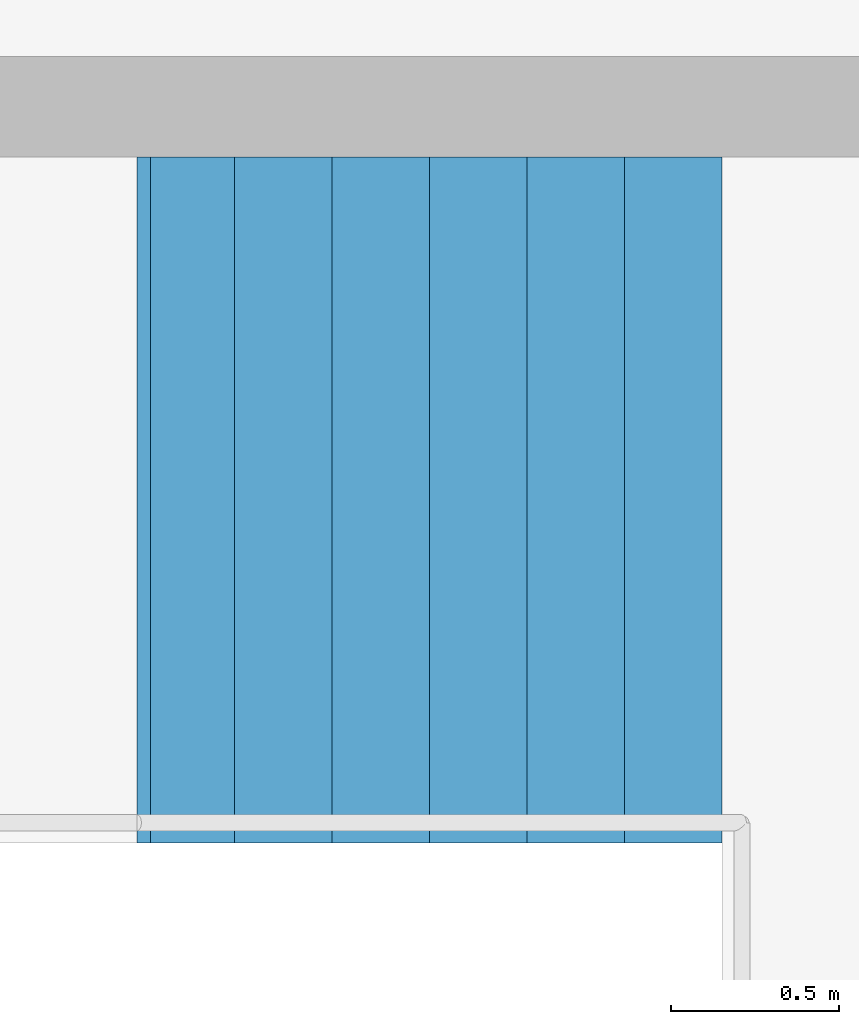
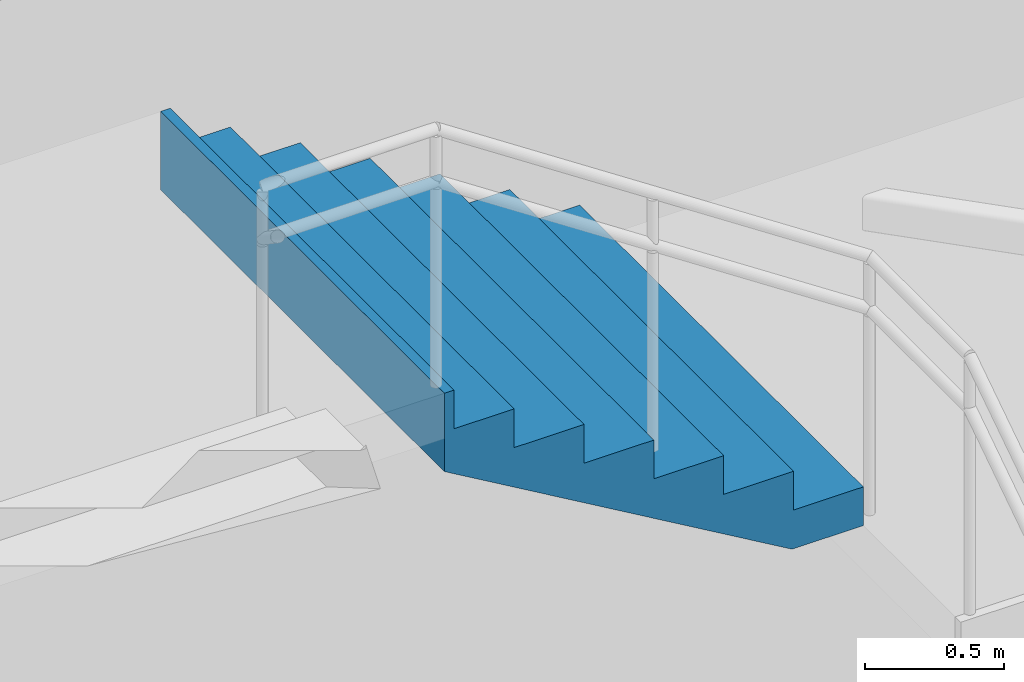
# One storey, part 29 of 32: 1 stair flight, 1 element without a shape of its own.
"""IFC4 building model written with IfcOpenShell, lengths in metres."""

from ifc_helpers import new_model, si_unit, direction, frame, origin, place, context, subcontext, project, spatial, triangles, material, type_object, element, aggregate, save


model = new_model("IFC4")

# Units and contexts
model_context = context("Model", 3, precision=1e-05, world=origin(), true_north=direction((0.0, 1.0)))
body_context = subcontext(model_context, "Body", "Model", "MODEL_VIEW")
ifc_project = project(units=[si_unit("LENGTHUNIT", "METRE"), si_unit("AREAUNIT", "SQUARE_METRE"), si_unit("VOLUMEUNIT", "CUBIC_METRE"), si_unit("PLANEANGLEUNIT", "RADIAN"), si_unit("MASSUNIT", "GRAM", prefix="KILO")], contexts=[model_context])

# Site, building, storey
site_placement = place(None, origin())
site = spatial("IfcSite", under=ifc_project, at=site_placement, CompositionType="ELEMENT")
building_placement = place(site_placement, origin())
building = spatial("IfcBuilding", under=site, at=building_placement, Name="Sillaruma Civic Art Gallery", CompositionType="ELEMENT")
storey_placement = place(building_placement, frame((0.0, 0.0, -4.590087890625)))
storey = spatial("IfcBuildingStorey", under=building, at=storey_placement, Name="B01", CompositionType="ELEMENT", Elevation=-4.590087890625)

# Stair, stair flight
ifc_material = material(Name="Concrete H35 (35 MPa)", Category="concrete")
stair_type = type_object("IfcStairType", Name="STR-4F-27", PredefinedType="USERDEFINED", material=ifc_material)
stair_placement = place(storey_placement, origin())
stair = element("IfcStair", 1, at=stair_placement, inside=storey, type_object=stair_type, Name="Protected Exit Stair ST-05 (East Wing) (B01)", ObjectType="THREE_RETURN_STAIR", PredefinedType="USERDEFINED")
stair_flight_type = type_object("IfcStairFlightType", Name="SFL-STR-7", PredefinedType="STRAIGHT", material=ifc_material)
stair_flight_placement = place(storey_placement, frame((146.60009765625, 16.860107421875, 2.380126953125), z_axis=(0.0, 0.0, 1.0), x_axis=(-1.0, 0.0, 0.0)))
stair_flight = element("IfcStairFlight", 2, at=stair_flight_placement, type_object=stair_flight_type, Name="ST-05 flight 3", NumberOfRisers=7, NumberOfTreads=6, PredefinedType="STRAIGHT", RiserHeight=0.17, TreadLength=0.29, context=body_context, shape_type="Tessellation", body=[
    triangles([(0.0, -1.02001953125, 0.0), (0.29, -1.02001953125, 0.0), (0.296404, -1.02001953125, 0.0), (0.58, -1.02001953125, 0.166246), (0.87, -1.02001953125, 0.336246), (1.16, -1.02001953125, 0.506246), (1.45, -1.02001953125, 0.676246), (1.69999, -1.02001953125, 0.822792), (1.73999, -1.02001953125, 0.84624), (1.73999, -1.02001953125, 1.19), (1.69999, -1.02001953125, 1.19), (1.69999, -1.02001953125, 1.02), (1.45, -1.02001953125, 1.02), (1.45, -1.02001953125, 0.85), (1.16, -1.02001953125, 0.85), (1.16, -1.02001953125, 0.68), (0.87, -1.02001953125, 0.68), (0.87, -1.02001953125, 0.51), (0.58, -1.02001953125, 0.51), (0.58, -1.02001953125, 0.34), (0.296404, -1.02001953125, 0.34), (0.29, -1.02001953125, 0.34), (0.29, -1.02001953125, 0.17), (0.0, -1.02001953125, 0.17), (0.0, -0.05, 0.0), (0.29, -0.05, 0.0), (0.296404, -0.05, 0.0), (0.58, -0.05, 0.166246), (0.87, -0.05, 0.336246), (1.16, -0.05, 0.506246), (1.45, -0.05, 0.676246), (1.69999, -0.05, 0.822792), (1.73999, -0.05, 0.84624), (1.73999, -0.05, 1.19), (1.69999, -0.05, 1.19), (1.69999, -0.05, 1.02), (1.45, -0.05, 1.02), (1.45, -0.05, 0.85), (1.16, -0.05, 0.85), (1.16, -0.05, 0.68), (0.87, -0.05, 0.68), (0.87, -0.05, 0.51), (0.58, -0.05, 0.51), (0.58, -0.05, 0.34), (0.296404, -0.05, 0.34), (0.29, -0.05, 0.34), (0.29, -0.05, 0.17), (0.0, -0.05, 0.17), (0.0, -0.0375, 0.0), (0.29, -0.0375, 0.0), (0.296404, -0.0375, 0.0), (0.58, -0.0375, 0.166246), (0.87, -0.0375, 0.336246), (1.16, -0.0375, 0.506246), (1.45, -0.0375, 0.676246), (1.69999, -0.0375, 0.822792), (1.73999, -0.0375, 0.84624), (1.73999, -0.0375, 1.19), (1.69999, -0.0375, 1.19), (1.69999, -0.0375, 1.02), (1.45, -0.0375, 1.02), (1.45, -0.0375, 0.85), (1.16, -0.0375, 0.85), (1.16, -0.0375, 0.68), (0.87, -0.0375, 0.68), (0.87, -0.0375, 0.51), (0.58, -0.0375, 0.51), (0.58, -0.0375, 0.34), (0.296404, -0.0375, 0.34), (0.29, -0.0375, 0.34), (0.29, -0.0375, 0.17), (0.0, -0.0375, 0.17), (0.0, -0.025, 0.0), (0.29, -0.025, 0.0), (0.296404, -0.025, 0.0), (0.58, -0.025, 0.166246), (0.87, -0.025, 0.336246), (1.16, -0.025, 0.506246), (1.45, -0.025, 0.676246), (1.69999, -0.025, 0.822792), (1.73999, -0.025, 0.84624), (1.73999, -0.025, 1.19), (1.69999, -0.025, 1.19), (1.69999, -0.025, 1.02), (1.45, -0.025, 1.02), (1.45, -0.025, 0.85), (1.16, -0.025, 0.85), (1.16, -0.025, 0.68), (0.87, -0.025, 0.68), (0.87, -0.025, 0.51), (0.58, -0.025, 0.51), (0.58, -0.025, 0.34), (0.296404, -0.025, 0.34), (0.29, -0.025, 0.34), (0.29, -0.025, 0.17), (0.0, -0.025, 0.17), (0.0, -0.0125, 0.0), (0.29, -0.0125, 0.0), (0.296404, -0.0125, 0.0), (0.58, -0.0125, 0.166246), (0.87, -0.0125, 0.336246), (1.16, -0.0125, 0.506246), (1.45, -0.0125, 0.676246), (1.69999, -0.0125, 0.822792), (1.73999, -0.0125, 0.84624), (1.73999, -0.0125, 1.19), (1.69999, -0.0125, 1.19), (1.69999, -0.0125, 1.02), (1.45, -0.0125, 1.02), (1.45, -0.0125, 0.85), (1.16, -0.0125, 0.85), (1.16, -0.0125, 0.68), (0.87, -0.0125, 0.68), (0.87, -0.0125, 0.51), (0.58, -0.0125, 0.51), (0.58, -0.0125, 0.34), (0.296404, -0.0125, 0.34), (0.29, -0.0125, 0.34), (0.29, -0.0125, 0.17), (0.0, -0.0125, 0.17), (0.0, 0.0, 0.0), (0.29, 0.0, 0.0), (0.296404, 0.0, 0.0), (0.58, 0.0, 0.166246), (0.87, 0.0, 0.336246), (1.16, 0.0, 0.506246), (1.45, 0.0, 0.676246), (1.69999, 0.0, 0.822792), (1.73999, 0.0, 0.84624), (1.73999, 0.0, 1.19), (1.69999, 0.0, 1.19), (1.69999, 0.0, 1.02), (1.45, 0.0, 1.02), (1.45, 0.0, 0.85), (1.16, 0.0, 0.85), (1.16, 0.0, 0.68), (0.87, 0.0, 0.68), (0.87, 0.0, 0.51), (0.58, 0.0, 0.51), (0.58, 0.0, 0.34), (0.296404, 0.0, 0.34), (0.29, 0.0, 0.34), (0.29, 0.0, 0.17), (0.0, 0.0, 0.17), (0.0, 0.0125, 0.0), (0.29, 0.0125, 0.0), (0.296404, 0.0125, 0.0), (0.58, 0.0125, 0.166246), (0.87, 0.0125, 0.336246), (1.16, 0.0125, 0.506246), (1.45, 0.0125, 0.676246), (1.69999, 0.0125, 0.822792), (1.73999, 0.0125, 0.84624), (1.73999, 0.0125, 1.19), (1.69999, 0.0125, 1.19), (1.69999, 0.0125, 1.02), (1.45, 0.0125, 1.02), (1.45, 0.0125, 0.85), (1.16, 0.0125, 0.85), (1.16, 0.0125, 0.68), (0.87, 0.0125, 0.68), (0.87, 0.0125, 0.51), (0.58, 0.0125, 0.51), (0.58, 0.0125, 0.34), (0.296404, 0.0125, 0.34), (0.29, 0.0125, 0.34), (0.29, 0.0125, 0.17), (0.0, 0.0125, 0.17), (0.0, 0.025, 0.0), (0.29, 0.025, 0.0), (0.296404, 0.025, 0.0), (0.58, 0.025, 0.166246), (0.87, 0.025, 0.336246), (1.16, 0.025, 0.506246), (1.45, 0.025, 0.676246), (1.69999, 0.025, 0.822792), (1.73999, 0.025, 0.84624), (1.73999, 0.025, 1.19), (1.69999, 0.025, 1.19), (1.69999, 0.025, 1.02), (1.45, 0.025, 1.02), (1.45, 0.025, 0.85), (1.16, 0.025, 0.85), (1.16, 0.025, 0.68), (0.87, 0.025, 0.68), (0.87, 0.025, 0.51), (0.58, 0.025, 0.51), (0.58, 0.025, 0.34), (0.296404, 0.025, 0.34), (0.29, 0.025, 0.34), (0.29, 0.025, 0.17), (0.0, 0.025, 0.17), (0.0, 0.0375, 0.0), (0.29, 0.0375, 0.0), (0.296404, 0.0375, 0.0), (0.58, 0.0375, 0.166246), (0.87, 0.0375, 0.336246), (1.16, 0.0375, 0.506246), (1.45, 0.0375, 0.676246), (1.69999, 0.0375, 0.822792), (1.73999, 0.0375, 0.84624), (1.73999, 0.0375, 1.19), (1.69999, 0.0375, 1.19), (1.69999, 0.0375, 1.02), (1.45, 0.0375, 1.02), (1.45, 0.0375, 0.85), (1.16, 0.0375, 0.85), (1.16, 0.0375, 0.68), (0.87, 0.0375, 0.68), (0.87, 0.0375, 0.51), (0.58, 0.0375, 0.51), (0.58, 0.0375, 0.34), (0.296404, 0.0375, 0.34), (0.29, 0.0375, 0.34), (0.29, 0.0375, 0.17), (0.0, 0.0375, 0.17), (0.0, 0.05, 0.0), (0.29, 0.05, 0.0), (0.296404, 0.05, 0.0), (0.58, 0.05, 0.166246), (0.87, 0.05, 0.336246), (1.16, 0.05, 0.506246), (1.45, 0.05, 0.676246), (1.69999, 0.05, 0.822792), (1.73999, 0.05, 0.84624), (1.73999, 0.05, 1.19), (1.69999, 0.05, 1.19), (1.69999, 0.05, 1.02), (1.45, 0.05, 1.02), (1.45, 0.05, 0.85), (1.16, 0.05, 0.85), (1.16, 0.05, 0.68), (0.87, 0.05, 0.68), (0.87, 0.05, 0.51), (0.58, 0.05, 0.51), (0.58, 0.05, 0.34), (0.296404, 0.05, 0.34), (0.29, 0.05, 0.34), (0.29, 0.05, 0.17), (0.0, 0.05, 0.17), (0.0, 1.02001953125, 0.0), (0.29, 1.02001953125, 0.0), (0.296404, 1.02001953125, 0.0), (0.58, 1.02001953125, 0.166246), (0.87, 1.02001953125, 0.336246), (1.16, 1.02001953125, 0.506246), (1.45, 1.02001953125, 0.676246), (1.69999, 1.02001953125, 0.822792), (1.73999, 1.02001953125, 0.84624), (1.73999, 1.02001953125, 1.19), (1.69999, 1.02001953125, 1.19), (1.69999, 1.02001953125, 1.02), (1.45, 1.02001953125, 1.02), (1.45, 1.02001953125, 0.85), (1.16, 1.02001953125, 0.85), (1.16, 1.02001953125, 0.68), (0.87, 1.02001953125, 0.68), (0.87, 1.02001953125, 0.51), (0.58, 1.02001953125, 0.51), (0.58, 1.02001953125, 0.34), (0.296404, 1.02001953125, 0.34), (0.29, 1.02001953125, 0.34), (0.29, 1.02001953125, 0.17), (0.0, 1.02001953125, 0.17)], [[1, 2, 23], [1, 23, 24], [2, 3, 21], [2, 21, 23], [23, 21, 22], [3, 4, 20], [3, 20, 21], [4, 5, 18], [4, 18, 20], [20, 18, 19], [5, 6, 16], [5, 16, 18], [18, 16, 17], [6, 7, 14], [6, 14, 16], [16, 14, 15], [7, 8, 12], [7, 12, 14], [14, 12, 13], [8, 9, 10], [8, 10, 12], [12, 10, 11], [263, 242, 241], [264, 263, 241], [261, 243, 242], [263, 261, 242], [262, 261, 263], [260, 244, 243], [261, 260, 243], [258, 245, 244], [260, 258, 244], [259, 258, 260], [256, 246, 245], [258, 256, 245], [257, 256, 258], [254, 247, 246], [256, 254, 246], [255, 254, 256], [252, 248, 247], [254, 252, 247], [253, 252, 254], [250, 249, 248], [252, 250, 248], [251, 250, 252], [2, 1, 25], [2, 25, 26], [3, 2, 26], [3, 26, 27], [4, 3, 27], [4, 27, 28], [5, 4, 28], [5, 28, 29], [6, 5, 29], [6, 29, 30], [7, 6, 30], [7, 30, 31], [8, 7, 31], [8, 31, 32], [9, 8, 32], [9, 32, 33], [10, 9, 33], [10, 33, 34], [11, 10, 34], [11, 34, 35], [12, 11, 35], [12, 35, 36], [13, 12, 36], [13, 36, 37], [14, 13, 37], [14, 37, 38], [15, 14, 38], [15, 38, 39], [16, 15, 39], [16, 39, 40], [17, 16, 40], [17, 40, 41], [18, 17, 41], [18, 41, 42], [19, 18, 42], [19, 42, 43], [20, 19, 43], [20, 43, 44], [21, 20, 44], [21, 44, 45], [22, 21, 45], [22, 45, 46], [23, 22, 46], [23, 46, 47], [24, 23, 47], [24, 47, 48], [1, 24, 48], [1, 48, 25], [26, 25, 49], [26, 49, 50], [27, 26, 50], [27, 50, 51], [28, 27, 51], [28, 51, 52], [29, 28, 52], [29, 52, 53], [30, 29, 53], [30, 53, 54], [31, 30, 54], [31, 54, 55], [32, 31, 55], [32, 55, 56], [33, 32, 56], [33, 56, 57], [34, 33, 57], [34, 57, 58], [35, 34, 58], [35, 58, 59], [36, 35, 59], [36, 59, 60], [37, 36, 60], [37, 60, 61], [38, 37, 61], [38, 61, 62], [39, 38, 62], [39, 62, 63], [40, 39, 63], [40, 63, 64], [41, 40, 64], [41, 64, 65], [42, 41, 65], [42, 65, 66], [43, 42, 66], [43, 66, 67], [44, 43, 67], [44, 67, 68], [45, 44, 68], [45, 68, 69], [46, 45, 69], [46, 69, 70], [47, 46, 70], [47, 70, 71], [48, 47, 71], [48, 71, 72], [25, 48, 72], [25, 72, 49], [50, 49, 73], [50, 73, 74], [51, 50, 74], [51, 74, 75], [52, 51, 75], [52, 75, 76], [53, 52, 76], [53, 76, 77], [54, 53, 77], [54, 77, 78], [55, 54, 78], [55, 78, 79], [56, 55, 79], [56, 79, 80], [57, 56, 80], [57, 80, 81], [58, 57, 81], [58, 81, 82], [59, 58, 82], [59, 82, 83], [60, 59, 83], [60, 83, 84], [61, 60, 84], [61, 84, 85], [62, 61, 85], [62, 85, 86], [63, 62, 86], [63, 86, 87], [64, 63, 87], [64, 87, 88], [65, 64, 88], [65, 88, 89], [66, 65, 89], [66, 89, 90], [67, 66, 90], [67, 90, 91], [68, 67, 91], [68, 91, 92], [69, 68, 92], [69, 92, 93], [70, 69, 93], [70, 93, 94], [71, 70, 94], [71, 94, 95], [72, 71, 95], [72, 95, 96], [49, 72, 96], [49, 96, 73], [74, 73, 97], [74, 97, 98], [75, 74, 98], [75, 98, 99], [76, 75, 99], [76, 99, 100], [77, 76, 100], [77, 100, 101], [78, 77, 101], [78, 101, 102], [79, 78, 102], [79, 102, 103], [80, 79, 103], [80, 103, 104], [81, 80, 104], [81, 104, 105], [82, 81, 105], [82, 105, 106], [83, 82, 106], [83, 106, 107], [84, 83, 107], [84, 107, 108], [85, 84, 108], [85, 108, 109], [86, 85, 109], [86, 109, 110], [87, 86, 110], [87, 110, 111], [88, 87, 111], [88, 111, 112], [89, 88, 112], [89, 112, 113], [90, 89, 113], [90, 113, 114], [91, 90, 114], [91, 114, 115], [92, 91, 115], [92, 115, 116], [93, 92, 116], [93, 116, 117], [94, 93, 117], [94, 117, 118], [95, 94, 118], [95, 118, 119], [96, 95, 119], [96, 119, 120], [73, 96, 120], [73, 120, 97], [98, 97, 121], [98, 121, 122], [99, 98, 122], [99, 122, 123], [100, 99, 123], [100, 123, 124], [101, 100, 124], [101, 124, 125], [102, 101, 125], [102, 125, 126], [103, 102, 126], [103, 126, 127], [104, 103, 127], [104, 127, 128], [105, 104, 128], [105, 128, 129], [106, 105, 129], [106, 129, 130], [107, 106, 130], [107, 130, 131], [108, 107, 131], [108, 131, 132], [109, 108, 132], [109, 132, 133], [110, 109, 133], [110, 133, 134], [111, 110, 134], [111, 134, 135], [112, 111, 135], [112, 135, 136], [113, 112, 136], [113, 136, 137], [114, 113, 137], [114, 137, 138], [115, 114, 138], [115, 138, 139], [116, 115, 139], [116, 139, 140], [117, 116, 140], [117, 140, 141], [118, 117, 141], [118, 141, 142], [119, 118, 142], [119, 142, 143], [120, 119, 143], [120, 143, 144], [97, 120, 144], [97, 144, 121], [122, 121, 145], [122, 145, 146], [123, 122, 146], [123, 146, 147], [124, 123, 147], [124, 147, 148], [125, 124, 148], [125, 148, 149], [126, 125, 149], [126, 149, 150], [127, 126, 150], [127, 150, 151], [128, 127, 151], [128, 151, 152], [129, 128, 152], [129, 152, 153], [130, 129, 153], [130, 153, 154], [131, 130, 154], [131, 154, 155], [132, 131, 155], [132, 155, 156], [133, 132, 156], [133, 156, 157], [134, 133, 157], [134, 157, 158], [135, 134, 158], [135, 158, 159], [136, 135, 159], [136, 159, 160], [137, 136, 160], [137, 160, 161], [138, 137, 161], [138, 161, 162], [139, 138, 162], [139, 162, 163], [140, 139, 163], [140, 163, 164], [141, 140, 164], [141, 164, 165], [142, 141, 165], [142, 165, 166], [143, 142, 166], [143, 166, 167], [144, 143, 167], [144, 167, 168], [121, 144, 168], [121, 168, 145], [146, 145, 169], [146, 169, 170], [147, 146, 170], [147, 170, 171], [148, 147, 171], [148, 171, 172], [149, 148, 172], [149, 172, 173], [150, 149, 173], [150, 173, 174], [151, 150, 174], [151, 174, 175], [152, 151, 175], [152, 175, 176], [153, 152, 176], [153, 176, 177], [154, 153, 177], [154, 177, 178], [155, 154, 178], [155, 178, 179], [156, 155, 179], [156, 179, 180], [157, 156, 180], [157, 180, 181], [158, 157, 181], [158, 181, 182], [159, 158, 182], [159, 182, 183], [160, 159, 183], [160, 183, 184], [161, 160, 184], [161, 184, 185], [162, 161, 185], [162, 185, 186], [163, 162, 186], [163, 186, 187], [164, 163, 187], [164, 187, 188], [165, 164, 188], [165, 188, 189], [166, 165, 189], [166, 189, 190], [167, 166, 190], [167, 190, 191], [168, 167, 191], [168, 191, 192], [145, 168, 192], [145, 192, 169], [170, 169, 193], [170, 193, 194], [171, 170, 194], [171, 194, 195], [172, 171, 195], [172, 195, 196], [173, 172, 196], [173, 196, 197], [174, 173, 197], [174, 197, 198], [175, 174, 198], [175, 198, 199], [176, 175, 199], [176, 199, 200], [177, 176, 200], [177, 200, 201], [178, 177, 201], [178, 201, 202], [179, 178, 202], [179, 202, 203], [180, 179, 203], [180, 203, 204], [181, 180, 204], [181, 204, 205], [182, 181, 205], [182, 205, 206], [183, 182, 206], [183, 206, 207], [184, 183, 207], [184, 207, 208], [185, 184, 208], [185, 208, 209], [186, 185, 209], [186, 209, 210], [187, 186, 210], [187, 210, 211], [188, 187, 211], [188, 211, 212], [189, 188, 212], [189, 212, 213], [190, 189, 213], [190, 213, 214], [191, 190, 214], [191, 214, 215], [192, 191, 215], [192, 215, 216], [169, 192, 216], [169, 216, 193], [194, 193, 217], [194, 217, 218], [195, 194, 218], [195, 218, 219], [196, 195, 219], [196, 219, 220], [197, 196, 220], [197, 220, 221], [198, 197, 221], [198, 221, 222], [199, 198, 222], [199, 222, 223], [200, 199, 223], [200, 223, 224], [201, 200, 224], [201, 224, 225], [202, 201, 225], [202, 225, 226], [203, 202, 226], [203, 226, 227], [204, 203, 227], [204, 227, 228], [205, 204, 228], [205, 228, 229], [206, 205, 229], [206, 229, 230], [207, 206, 230], [207, 230, 231], [208, 207, 231], [208, 231, 232], [209, 208, 232], [209, 232, 233], [210, 209, 233], [210, 233, 234], [211, 210, 234], [211, 234, 235], [212, 211, 235], [212, 235, 236], [213, 212, 236], [213, 236, 237], [214, 213, 237], [214, 237, 238], [215, 214, 238], [215, 238, 239], [216, 215, 239], [216, 239, 240], [193, 216, 240], [193, 240, 217], [218, 217, 241], [218, 241, 242], [219, 218, 242], [219, 242, 243], [220, 219, 243], [220, 243, 244], [221, 220, 244], [221, 244, 245], [222, 221, 245], [222, 245, 246], [223, 222, 246], [223, 246, 247], [224, 223, 247], [224, 247, 248], [225, 224, 248], [225, 248, 249], [226, 225, 249], [226, 249, 250], [227, 226, 250], [227, 250, 251], [228, 227, 251], [228, 251, 252], [229, 228, 252], [229, 252, 253], [230, 229, 253], [230, 253, 254], [231, 230, 254], [231, 254, 255], [232, 231, 255], [232, 255, 256], [233, 232, 256], [233, 256, 257], [234, 233, 257], [234, 257, 258], [235, 234, 258], [235, 258, 259], [236, 235, 259], [236, 259, 260], [237, 236, 260], [237, 260, 261], [238, 237, 261], [238, 261, 262], [239, 238, 262], [239, 262, 263], [240, 239, 263], [240, 263, 264], [217, 240, 264], [217, 264, 241]], closed=True),
])
aggregate(stair, [stair_flight])

save(model, "model.ifc")
